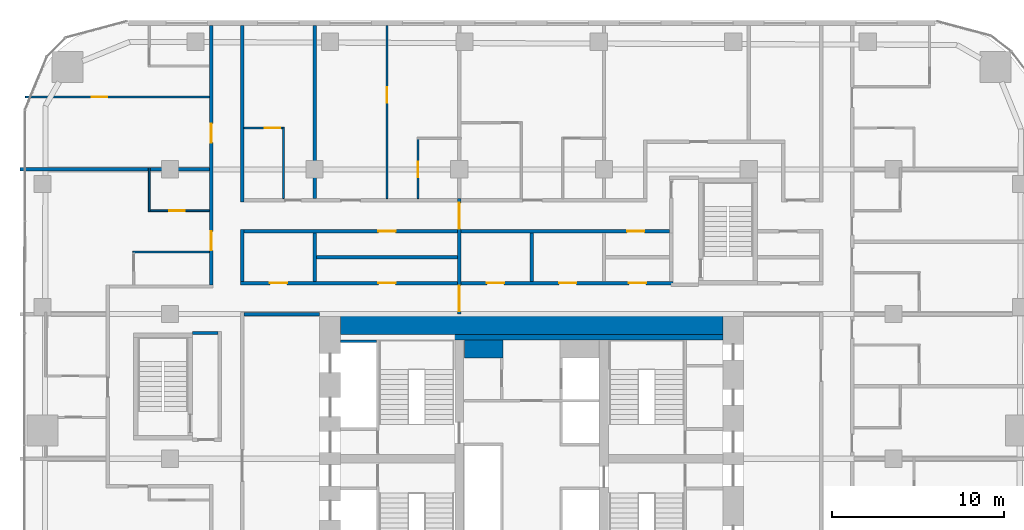
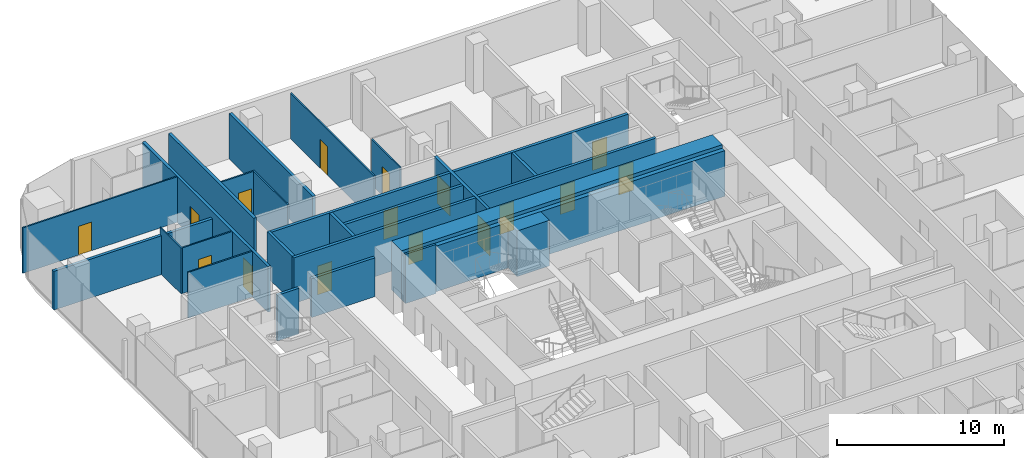
# One storey, part 21 of 26: 25 walls, 16 doors, 16 openings.
"""IFC4 building model written with IfcOpenShell, lengths in metres."""

from ifc_helpers import new_model, si_unit, direction, frame, frame_2d, origin, place, context, subcontext, project, spatial, rectangle, extrude, material, layer, layer_set, type_object, element, fill, save


model = new_model("IFC4")

# Units and contexts
model_context = context("Model", 3, precision=1e-05, world=origin(), true_north=direction((0.0, 1.0)))
body_context = subcontext(model_context, "Body", "Model", "MODEL_VIEW")
ifc_project = project(units=[si_unit("LENGTHUNIT", "METRE"), si_unit("AREAUNIT", "SQUARE_METRE"), si_unit("VOLUMEUNIT", "CUBIC_METRE"), si_unit("PLANEANGLEUNIT", "RADIAN"), si_unit("MASSUNIT", "GRAM", prefix="KILO")], contexts=[model_context])

# Site, building, storey
site_placement = place(None, origin())
site = spatial("IfcSite", under=ifc_project, at=site_placement, CompositionType="ELEMENT")
building_placement = place(site_placement, origin())
building = spatial("IfcBuilding", under=site, at=building_placement, Name="Marenta Gate Hotel Tower", CompositionType="ELEMENT")
storey_placement = place(building_placement, frame((0.0, 0.0, 65.300048828125)))
storey = spatial("IfcBuildingStorey", under=building, at=storey_placement, Name="L14", CompositionType="ELEMENT", Elevation=65.300048828125)

# Wall, openings, doors
ifc_material_1 = material(Name="Concrete blockwork", Category="masonry")
ifc_layer_1 = layer(ifc_material_1, 0.199951171875)
ifc_layer_set_1 = layer_set([ifc_layer_1], Name="Concrete blockwork")
wall_type_1 = type_object("IfcWallType", Name="Compartment wall 200 REI 180", PredefinedType="PARTITIONING", material=ifc_layer_set_1)
wall_1_placement = place(storey_placement, frame((-4.199951171875, 16.800048828125, 0.0), z_axis=(0.0, 0.0, 1.0), x_axis=(0.0, 1.0, 0.0)))
wall_1 = element("IfcWall", 1, at=wall_1_placement, inside=storey, type_object=wall_type_1, Name="L14-PTN-W081", PredefinedType="PARTITIONING", context=body_context, shape_type="SweptSolid", body=[
    extrude(rectangle(XDim=6.699951171875, YDim=0.199951171875, at=frame_2d((3.35009765625, 0.0))), origin(), (0.0, 0.0, 1.0), 3.33984375),
])
opening_1_placement = place(wall_1_placement, frame((0.14990234375, 0.0, 0.0)))
opening_1 = element("IfcOpeningElement", 2, at=opening_1_placement, cuts=wall_1, Name="Opening G05-FD1", PredefinedType="OPENING", context=body_context, shape_type="SweptSolid", body=[
    extrude(rectangle(XDim=1.5, YDim=2.10009765625, at=frame_2d((0.75, 1.050048828125))), frame((0.0, 0.10009765625, 0.0), z_axis=(0.0, -1.0, 0.0), x_axis=(1.0, 0.0, 0.0)), (0.0, 0.0, 1.0), 0.199951171875),
])
opening_2_placement = place(wall_1_placement, frame((4.949951171875, 0.0, 0.0)))
opening_2 = element("IfcOpeningElement", 3, at=opening_2_placement, cuts=wall_1, Name="Opening G05-FD2", PredefinedType="OPENING", context=body_context, shape_type="SweptSolid", body=[
    extrude(rectangle(XDim=1.5, YDim=2.10009765625, at=frame_2d((0.75, 1.050048828125))), frame((0.0, 0.10009765625, 0.0), z_axis=(0.0, -1.0, 0.0), x_axis=(1.0, 0.0, 0.0)), (0.0, 0.0, 1.0), 0.199951171875),
])
ifc_material_2 = material(Name="Hollow steel door set", Category="steel")
door_type_1 = type_object("IfcDoorType", Name="Compartment fire door 1500x2100 EI 60", OperationType="DOUBLE_DOOR_DOUBLE_SWING", PredefinedType="DOOR", material=ifc_material_2)
door_1_placement = place(opening_1_placement, origin())
door_1 = element("IfcDoor", 4, at=door_1_placement, inside=storey, type_object=door_type_1, Name="L14-PD-FD01", OperationType="DOUBLE_DOOR_DOUBLE_SWING", OverallHeight=2.10009765625, OverallWidth=1.5, PredefinedType="DOOR", context=body_context, shape_type="SweptSolid", body=[
    extrude(rectangle(XDim=1.5, YDim=2.10009765625, at=frame_2d((0.75, 1.050048828125))), frame((0.0, 0.02490234375, 0.0), z_axis=(0.0, -1.0, 0.0), x_axis=(1.0, 0.0, 0.0)), (0.0, 0.0, 1.0), 0.050048828125),
])
fill(opening_1, door_1)
door_2_placement = place(opening_2_placement, origin())
door_2 = element("IfcDoor", 5, at=door_2_placement, inside=storey, type_object=door_type_1, Name="L14-PD-FD02", OperationType="DOUBLE_DOOR_DOUBLE_SWING", OverallHeight=2.10009765625, OverallWidth=1.5, PredefinedType="DOOR", context=body_context, shape_type="SweptSolid", body=[
    extrude(rectangle(XDim=1.5, YDim=2.10009765625, at=frame_2d((0.75, 1.050048828125))), frame((0.0, 0.02490234375, 0.0), z_axis=(0.0, -1.0, 0.0), x_axis=(1.0, 0.0, 0.0)), (0.0, 0.0, 1.0), 0.050048828125),
])
fill(opening_2, door_2)

# Walls
ifc_material_3 = material(Name="Concrete blockwork", Category="masonry")
ifc_layer_2 = layer(ifc_material_3, 0.199951171875)
ifc_layer_set_2 = layer_set([ifc_layer_2], Name="Concrete blockwork")
wall_type_2 = type_object("IfcWallType", Name="Core boundary wall 200 REI 180", PredefinedType="PARTITIONING", material=ifc_layer_set_2)
wall_2_placement = place(storey_placement, frame((-16.699951171875, 16.800048828125, 0.0), z_axis=(0.0, 0.0, 1.0), x_axis=(1.0, 0.0, 0.0)))
element("IfcWall", 6, at=wall_2_placement, inside=storey, type_object=wall_type_2, Name="L14-CP-EW-WN", PredefinedType="PARTITIONING", context=body_context, shape_type="SweptSolid", body=[
    extrude(rectangle(XDim=4.39990234375, YDim=0.199951171875, at=frame_2d((2.199951171875, 0.0))), origin(), (0.0, 0.0, 1.0), 2.83984375),
])
ifc_material_4 = material(Name="Concrete C40", Category="concrete")
ifc_layer_3 = layer(ifc_material_4, 0.300048828125)
ifc_layer_set_3 = layer_set([ifc_layer_3], Name="Concrete C40")
wall_type_3 = type_object("IfcWallType", Name="Core lining wall 300 REI 180", PredefinedType="PARTITIONING", material=ifc_layer_set_3)
wall_3_placement = place(storey_placement, frame((-11.10009765625, 15.449951171875, 0.0), z_axis=(0.0, 0.0, 1.0), x_axis=(1.0, 0.0, 0.0)))
element("IfcWall", 7, at=wall_3_placement, inside=storey, type_object=wall_type_3, Name="L14-CP-LN-N", PredefinedType="PARTITIONING", context=body_context, shape_type="SweptSolid", body=[
    extrude(rectangle(XDim=22.2001953125, YDim=0.300048828125, at=frame_2d((11.10009765625, 0.0))), origin(), (0.0, 0.0, 1.0), 3.33984375),
])
ifc_material_5 = material(Name="Concrete blockwork", Category="masonry")
ifc_layer_4 = layer(ifc_material_5, 1.050048828125)
ifc_layer_set_4 = layer_set([ifc_layer_4], Name="Concrete blockwork")
wall_type_4 = type_object("IfcWallType", Name="Core room partition 1050 REI 180", PredefinedType="PARTITIONING", material=ifc_layer_set_4)
wall_4_placement = place(storey_placement, frame((-3.89990234375, 14.77490234375, 0.0), z_axis=(0.0, 0.0, 1.0), x_axis=(1.0, 0.0, 0.0)))
element("IfcWall", 8, at=wall_4_placement, inside=storey, type_object=wall_type_4, Name="L14-CP-CW-W-riser-N", PredefinedType="PARTITIONING", context=body_context, shape_type="SweptSolid", body=[
    extrude(rectangle(XDim=2.25, YDim=1.050048828125, at=frame_2d((1.125, 0.0))), origin(), (0.0, 0.0, 1.0), 3.33984375),
])
ifc_material_6 = material(Name="Concrete C40", Category="concrete")
ifc_layer_5 = layer(ifc_material_6, 0.14990234375)
ifc_layer_set_5 = layer_set([ifc_layer_5], Name="Concrete C40")
wall_type_5 = type_object("IfcWallType", Name="Core shaft wall 150 REI 180", PredefinedType="SHEAR", material=ifc_layer_set_5)
wall_5_placement = place(storey_placement, frame((-11.10009765625, 15.22509765625, 0.0), z_axis=(0.0, 0.0, 1.0), x_axis=(1.0, 0.0, 0.0)))
element("IfcWall", 9, at=wall_5_placement, inside=storey, type_object=wall_type_5, Name="L14-SHF-SW-WN-5", PredefinedType="SHEAR", context=body_context, shape_type="SweptSolid", body=[
    extrude(rectangle(XDim=2.10009765625, YDim=0.14990234375, at=frame_2d((1.050048828125, 0.0))), origin(), (0.0, 0.0, 1.0), 3.599853515625),
])
ifc_material_7 = material(Name="Concrete C80", Category="concrete")
ifc_layer_6 = layer(ifc_material_7, 1.199951171875)
ifc_layer_set_6 = layer_set([ifc_layer_6], Name="Concrete C80")
wall_type_6 = type_object("IfcWallType", Name="Core wall 1200 C80", PredefinedType="SHEAR", material=ifc_layer_set_6)
wall_6_placement = place(storey_placement, frame((-11.10009765625, 16.199951171875, 0.0), z_axis=(0.0, 0.0, 1.0), x_axis=(1.0, 0.0, 0.0)))
element("IfcWall", 10, at=wall_6_placement, inside=storey, type_object=wall_type_6, Name="L14-CORE-N", PredefinedType="SHEAR", context=body_context, shape_type="SweptSolid", body=[
    extrude(rectangle(XDim=22.2001953125, YDim=1.199951171875, at=frame_2d((11.10009765625, 0.0))), origin(), (0.0, 0.0, 1.0), 3.599853515625),
])
ifc_material_8 = material(Name="Concrete blockwork", Category="masonry")
ifc_layer_7 = layer(ifc_material_8, 0.199951171875)
ifc_layer_set_7 = layer_set([ifc_layer_7], Name="Concrete blockwork")
wall_type_7 = type_object("IfcWallType", Name="Room corridor wall 200 EI 120", PredefinedType="PARTITIONING", material=ifc_layer_set_7)
wall_7_placement = place(storey_placement, frame((-16.800048828125, 18.699951171875, 0.0), z_axis=(0.0, 0.0, 1.0), x_axis=(0.0, 1.0, 0.0)))
element("IfcWall", 11, at=wall_7_placement, inside=storey, type_object=wall_type_7, Name="L14-PTN-W108", PredefinedType="PARTITIONING", context=body_context, shape_type="SweptSolid", body=[
    extrude(rectangle(XDim=3.0, YDim=0.199951171875, at=frame_2d((1.5, 0.0))), origin(), (0.0, 0.0, 1.0), 3.33984375),
])

# Wall, openings, doors
wall_8_placement = place(storey_placement, frame((-16.89990234375, 18.60009765625, 0.0), z_axis=(0.0, 0.0, 1.0), x_axis=(1.0, 0.0, 0.0)))
wall_8 = element("IfcWall", 12, at=wall_8_placement, inside=storey, type_object=wall_type_7, Name="L14-PTN-W117", PredefinedType="PARTITIONING", context=body_context, shape_type="SweptSolid", body=[
    extrude(rectangle(XDim=25.099853515625, YDim=0.199951171875, at=frame_2d((12.5498046875, 0.0))), origin(), (0.0, 0.0, 1.0), 3.33984375),
])
opening_3_placement = place(wall_8_placement, frame((1.699951171875, 0.0, 0.0)))
opening_3 = element("IfcOpeningElement", 13, at=opening_3_placement, cuts=wall_8, Name="Opening G05-01", PredefinedType="OPENING", context=body_context, shape_type="SweptSolid", body=[
    extrude(rectangle(XDim=1.0, YDim=2.10009765625, at=frame_2d((0.5, 1.050048828125))), frame((0.0, 0.10009765625, 0.0), z_axis=(0.0, -1.0, 0.0), x_axis=(1.0, 0.0, 0.0)), (0.0, 0.0, 1.0), 0.199951171875),
])
opening_4_placement = place(wall_8_placement, frame((8.0, 0.0, 0.0)))
opening_4 = element("IfcOpeningElement", 14, at=opening_4_placement, cuts=wall_8, Name="Opening G05-72", PredefinedType="OPENING", context=body_context, shape_type="SweptSolid", body=[
    extrude(rectangle(XDim=1.0, YDim=2.10009765625, at=frame_2d((0.5, 1.050048828125))), frame((0.0, 0.10009765625, 0.0), z_axis=(0.0, -1.0, 0.0), x_axis=(1.0, 0.0, 0.0)), (0.0, 0.0, 1.0), 0.199951171875),
])
opening_5_placement = place(wall_8_placement, frame((22.550048828125, 0.0, 0.0)))
opening_5 = element("IfcOpeningElement", 15, at=opening_5_placement, cuts=wall_8, Name="Opening G05-74", PredefinedType="OPENING", context=body_context, shape_type="SweptSolid", body=[
    extrude(rectangle(XDim=1.0, YDim=2.10009765625, at=frame_2d((0.5, 1.050048828125))), frame((0.0, 0.10009765625, 0.0), z_axis=(0.0, -1.0, 0.0), x_axis=(1.0, 0.0, 0.0)), (0.0, 0.0, 1.0), 0.199951171875),
])
opening_6_placement = place(wall_8_placement, frame((14.300048828125, 0.0, 0.0)))
opening_6 = element("IfcOpeningElement", 16, at=opening_6_placement, cuts=wall_8, Name="Opening G05-81", PredefinedType="OPENING", context=body_context, shape_type="SweptSolid", body=[
    extrude(rectangle(XDim=1.0, YDim=2.10009765625, at=frame_2d((0.5, 1.050048828125))), frame((0.0, 0.10009765625, 0.0), z_axis=(0.0, -1.0, 0.0), x_axis=(1.0, 0.0, 0.0)), (0.0, 0.0, 1.0), 0.199951171875),
])
opening_7_placement = place(wall_8_placement, frame((18.5, 0.0, 0.0)))
opening_7 = element("IfcOpeningElement", 17, at=opening_7_placement, cuts=wall_8, Name="Opening G05-82", PredefinedType="OPENING", context=body_context, shape_type="SweptSolid", body=[
    extrude(rectangle(XDim=1.0, YDim=2.10009765625, at=frame_2d((0.5, 1.050048828125))), frame((0.0, 0.10009765625, 0.0), z_axis=(0.0, -1.0, 0.0), x_axis=(1.0, 0.0, 0.0)), (0.0, 0.0, 1.0), 0.199951171875),
])
ifc_material_9 = material(Name="Timber door leaf", Category="wood")
door_type_2 = type_object("IfcDoorType", Name="Room amenity door 1000x2100 EI 60", OperationType="NOTDEFINED", PredefinedType="DOOR", material=ifc_material_9)
door_3_placement = place(opening_4_placement, origin())
door_3 = element("IfcDoor", 18, at=door_3_placement, inside=storey, type_object=door_type_2, Name="L14-PD-D072", OperationType="SINGLE_SWING_RIGHT", OverallHeight=2.10009765625, OverallWidth=1.0, PredefinedType="DOOR", context=body_context, shape_type="SweptSolid", body=[
    extrude(rectangle(XDim=1.0, YDim=2.10009765625, at=frame_2d((0.5, 1.050048828125))), frame((0.0, 0.02490234375, 0.0), z_axis=(0.0, -1.0, 0.0), x_axis=(1.0, 0.0, 0.0)), (0.0, 0.0, 1.0), 0.050048828125),
])
fill(opening_4, door_3)
door_4_placement = place(opening_5_placement, origin())
door_4 = element("IfcDoor", 19, at=door_4_placement, inside=storey, type_object=door_type_2, Name="L14-PD-D074", OperationType="SINGLE_SWING_RIGHT", OverallHeight=2.10009765625, OverallWidth=1.0, PredefinedType="DOOR", context=body_context, shape_type="SweptSolid", body=[
    extrude(rectangle(XDim=1.0, YDim=2.10009765625, at=frame_2d((0.5, 1.050048828125))), frame((0.0, 0.02490234375, 0.0), z_axis=(0.0, -1.0, 0.0), x_axis=(1.0, 0.0, 0.0)), (0.0, 0.0, 1.0), 0.050048828125),
])
fill(opening_5, door_4)
door_5_placement = place(opening_6_placement, origin())
door_5 = element("IfcDoor", 20, at=door_5_placement, inside=storey, type_object=door_type_2, Name="L14-PD-D081", OperationType="SINGLE_SWING_LEFT", OverallHeight=2.10009765625, OverallWidth=1.0, PredefinedType="DOOR", context=body_context, shape_type="SweptSolid", body=[
    extrude(rectangle(XDim=1.0, YDim=2.10009765625, at=frame_2d((0.5, 1.050048828125))), frame((0.0, 0.02490234375, 0.0), z_axis=(0.0, -1.0, 0.0), x_axis=(1.0, 0.0, 0.0)), (0.0, 0.0, 1.0), 0.050048828125),
])
fill(opening_6, door_5)
door_6_placement = place(opening_7_placement, origin())
door_6 = element("IfcDoor", 21, at=door_6_placement, inside=storey, type_object=door_type_2, Name="L14-PD-D082", OperationType="SINGLE_SWING_RIGHT", OverallHeight=2.10009765625, OverallWidth=1.0, PredefinedType="DOOR", context=body_context, shape_type="SweptSolid", body=[
    extrude(rectangle(XDim=1.0, YDim=2.10009765625, at=frame_2d((0.5, 1.050048828125))), frame((0.0, 0.02490234375, 0.0), z_axis=(0.0, -1.0, 0.0), x_axis=(1.0, 0.0, 0.0)), (0.0, 0.0, 1.0), 0.050048828125),
])
fill(opening_7, door_6)
ifc_material_10 = material(Name="Hollow steel door set", Category="steel")
door_type_3 = type_object("IfcDoorType", Name="Room service door 1000x2100 EI 60", OperationType="NOTDEFINED", PredefinedType="DOOR", material=ifc_material_10)
door_7_placement = place(opening_3_placement, origin())
door_7 = element("IfcDoor", 22, at=door_7_placement, inside=storey, type_object=door_type_3, Name="L14-PD-D001", OperationType="SINGLE_SWING_RIGHT", OverallHeight=2.10009765625, OverallWidth=1.0, PredefinedType="DOOR", context=body_context, shape_type="SweptSolid", body=[
    extrude(rectangle(XDim=1.0, YDim=2.10009765625, at=frame_2d((0.5, 1.050048828125))), frame((0.0, 0.02490234375, 0.0), z_axis=(0.0, -1.0, 0.0), x_axis=(1.0, 0.0, 0.0)), (0.0, 0.0, 1.0), 0.050048828125),
])
fill(opening_3, door_7)

wall_9_placement = place(storey_placement, frame((-16.699951171875, 21.60009765625, 0.0), z_axis=(0.0, 0.0, 1.0), x_axis=(1.0, 0.0, 0.0)))
wall_9 = element("IfcWall", 23, at=wall_9_placement, inside=storey, type_object=wall_type_7, Name="L14-PTN-W127", PredefinedType="PARTITIONING", context=body_context, shape_type="SweptSolid", body=[
    extrude(rectangle(XDim=24.699951171875, YDim=0.199951171875, at=frame_2d((12.35009765625, 0.0))), origin(), (0.0, 0.0, 1.0), 3.33984375),
])
opening_8_placement = place(wall_9_placement, frame((7.800048828125, 0.0, 0.0)))
opening_8 = element("IfcOpeningElement", 24, at=opening_8_placement, cuts=wall_9, Name="Opening G05-73", PredefinedType="OPENING", context=body_context, shape_type="SweptSolid", body=[
    extrude(rectangle(XDim=1.0, YDim=2.10009765625, at=frame_2d((0.5, 1.050048828125))), frame((0.0, 0.10009765625, 0.0), z_axis=(0.0, -1.0, 0.0), x_axis=(1.0, 0.0, 0.0)), (0.0, 0.0, 1.0), 0.199951171875),
])
opening_9_placement = place(wall_9_placement, frame((22.25, 0.0, 0.0)))
opening_9 = element("IfcOpeningElement", 25, at=opening_9_placement, cuts=wall_9, Name="Opening G05-75", PredefinedType="OPENING", context=body_context, shape_type="SweptSolid", body=[
    extrude(rectangle(XDim=1.0, YDim=2.10009765625, at=frame_2d((0.5, 1.050048828125))), frame((0.0, 0.10009765625, 0.0), z_axis=(0.0, -1.0, 0.0), x_axis=(1.0, 0.0, 0.0)), (0.0, 0.0, 1.0), 0.199951171875),
])
door_8_placement = place(opening_8_placement, origin())
door_8 = element("IfcDoor", 26, at=door_8_placement, inside=storey, type_object=door_type_2, Name="L14-PD-D073", OperationType="SINGLE_SWING_RIGHT", OverallHeight=2.10009765625, OverallWidth=1.0, PredefinedType="DOOR", context=body_context, shape_type="SweptSolid", body=[
    extrude(rectangle(XDim=1.0, YDim=2.10009765625, at=frame_2d((0.5, 1.050048828125))), frame((0.0, 0.02490234375, 0.0), z_axis=(0.0, -1.0, 0.0), x_axis=(1.0, 0.0, 0.0)), (0.0, 0.0, 1.0), 0.050048828125),
])
fill(opening_8, door_8)
door_9_placement = place(opening_9_placement, origin())
door_9 = element("IfcDoor", 27, at=door_9_placement, inside=storey, type_object=door_type_2, Name="L14-PD-D075", OperationType="SINGLE_SWING_LEFT", OverallHeight=2.10009765625, OverallWidth=1.0, PredefinedType="DOOR", context=body_context, shape_type="SweptSolid", body=[
    extrude(rectangle(XDim=1.0, YDim=2.10009765625, at=frame_2d((0.5, 1.050048828125))), frame((0.0, 0.02490234375, 0.0), z_axis=(0.0, -1.0, 0.0), x_axis=(1.0, 0.0, 0.0)), (0.0, 0.0, 1.0), 0.050048828125),
])
fill(opening_9, door_9)

# Wall
ifc_material_11 = material(Name="Gypsum board on steel stud", Category="steel")
ifc_layer_8 = layer(ifc_material_11, 0.199951171875)
ifc_layer_set_8 = layer_set([ifc_layer_8], Name="Gypsum board on steel stud")
wall_type_8 = type_object("IfcWallType", Name="Room corridor wall 200 EI 60", PredefinedType="PARTITIONING", material=ifc_layer_set_8)
wall_10_placement = place(storey_placement, frame((-16.800048828125, 23.300048828125, 0.0), z_axis=(0.0, 0.0, 1.0), x_axis=(0.0, 1.0, 0.0)))
element("IfcWall", 28, at=wall_10_placement, inside=storey, type_object=wall_type_8, Name="L14-PTN-W109", PredefinedType="PARTITIONING", context=body_context, shape_type="SweptSolid", body=[
    extrude(rectangle(XDim=10.239990234375, YDim=0.199951171875, at=frame_2d((5.1201171875, 0.0))), origin(), (0.0, 0.0, 1.0), 3.33984375),
])

# Wall, openings, doors
wall_11_placement = place(storey_placement, frame((-18.60009765625, 18.5, 0.0), z_axis=(0.0, 0.0, 1.0), x_axis=(0.0, 1.0, 0.0)))
wall_11 = element("IfcWall", 29, at=wall_11_placement, inside=storey, type_object=wall_type_8, Name="L14-PTN-W116", PredefinedType="PARTITIONING", context=body_context, shape_type="SweptSolid", body=[
    extrude(rectangle(XDim=15.0400390625, YDim=0.199951171875, at=frame_2d((7.52001953125, 0.0))), origin(), (0.0, 0.0, 1.0), 3.33984375),
])
opening_10_placement = place(wall_11_placement, frame((2.0, 0.0, 0.0)))
opening_10 = element("IfcOpeningElement", 30, at=opening_10_placement, cuts=wall_11, Name="Opening G05-60", PredefinedType="OPENING", context=body_context, shape_type="SweptSolid", body=[
    extrude(rectangle(XDim=1.10009765625, YDim=2.10009765625, at=frame_2d((0.550048828125, 1.050048828125))), frame((0.0, 0.10009765625, 0.0), z_axis=(0.0, -1.0, 0.0), x_axis=(1.0, 0.0, 0.0)), (0.0, 0.0, 1.0), 0.199951171875),
])
opening_11_placement = place(wall_11_placement, frame((8.25, 0.0, 0.0)))
opening_11 = element("IfcOpeningElement", 31, at=opening_11_placement, cuts=wall_11, Name="Opening G05-63", PredefinedType="OPENING", context=body_context, shape_type="SweptSolid", body=[
    extrude(rectangle(XDim=1.10009765625, YDim=2.10009765625, at=frame_2d((0.550048828125, 1.050048828125))), frame((0.0, 0.10009765625, 0.0), z_axis=(0.0, -1.0, 0.0), x_axis=(1.0, 0.0, 0.0)), (0.0, 0.0, 1.0), 0.199951171875),
])
ifc_material_12 = material(Name="Timber door leaf", Category="wood")
door_type_4 = type_object("IfcDoorType", Name="Guest room door 1100x2100 EI 30", OperationType="NOTDEFINED", PredefinedType="DOOR", material=ifc_material_12)
door_10_placement = place(opening_10_placement, origin())
door_10 = element("IfcDoor", 32, at=door_10_placement, inside=storey, type_object=door_type_4, Name="L14-PD-D060", OperationType="SINGLE_SWING_LEFT", OverallHeight=2.10009765625, OverallWidth=1.10009765625, PredefinedType="DOOR", context=body_context, shape_type="SweptSolid", body=[
    extrude(rectangle(XDim=1.10009765625, YDim=2.10009765625, at=frame_2d((0.550048828125, 1.050048828125))), frame((0.0, 0.02490234375, 0.0), z_axis=(0.0, -1.0, 0.0), x_axis=(1.0, 0.0, 0.0)), (0.0, 0.0, 1.0), 0.050048828125),
])
fill(opening_10, door_10)
door_11_placement = place(opening_11_placement, origin())
door_11 = element("IfcDoor", 33, at=door_11_placement, inside=storey, type_object=door_type_4, Name="L14-PD-D063", OperationType="SINGLE_SWING_RIGHT", OverallHeight=2.10009765625, OverallWidth=1.10009765625, PredefinedType="DOOR", context=body_context, shape_type="SweptSolid", body=[
    extrude(rectangle(XDim=1.10009765625, YDim=2.10009765625, at=frame_2d((0.550048828125, 1.050048828125))), frame((0.0, 0.02490234375, 0.0), z_axis=(0.0, -1.0, 0.0), x_axis=(1.0, 0.0, 0.0)), (0.0, 0.0, 1.0), 0.050048828125),
])
fill(opening_11, door_11)

# Wall
ifc_material_13 = material(Name="Concrete blockwork", Category="masonry")
ifc_layer_9 = layer(ifc_material_13, 0.199951171875)
ifc_layer_set_9 = layer_set([ifc_layer_9], Name="Concrete blockwork")
wall_type_9 = type_object("IfcWallType", Name="Room corridor wall 200 REI 180", PredefinedType="PARTITIONING", material=ifc_layer_set_9)
wall_12_placement = place(storey_placement, frame((-19.699951171875, 15.699951171875, 0.0), z_axis=(0.0, 0.0, 1.0), x_axis=(1.0, 0.0, 0.0)))
element("IfcWall", 34, at=wall_12_placement, inside=storey, type_object=wall_type_9, Name="L14-PTN-W105", PredefinedType="PARTITIONING", context=body_context, shape_type="SweptSolid", body=[
    extrude(rectangle(XDim=1.5, YDim=0.199951171875, at=frame_2d((0.75, 0.0))), origin(), (0.0, 0.0, 1.0), 3.33984375),
])

# Wall, opening, door
ifc_material_14 = material(Name="Gypsum board on steel stud", Category="steel")
ifc_layer_10 = layer(ifc_material_14, 0.10009765625)
ifc_layer_set_10 = layer_set([ifc_layer_10], Name="Gypsum board on steel stud")
wall_type_10 = type_object("IfcWallType", Name="Room partition 100", PredefinedType="PARTITIONING", material=ifc_layer_set_10)
wall_13_placement = place(storey_placement, frame((-6.60009765625, 23.5, 0.0), z_axis=(0.0, 0.0, 1.0), x_axis=(0.0, 1.0, 0.0)))
wall_13 = element("IfcWall", 35, at=wall_13_placement, inside=storey, type_object=wall_type_10, Name="L14-PTN-W088", PredefinedType="PARTITIONING", context=body_context, shape_type="SweptSolid", body=[
    extrude(rectangle(XDim=3.449951171875, YDim=0.10009765625, at=frame_2d((1.72509765625, 0.0))), origin(), (0.0, 0.0, 1.0), 3.33984375),
])
opening_12_placement = place(wall_13_placement, frame((1.25, 0.0, 0.0)))
opening_12 = element("IfcOpeningElement", 36, at=opening_12_placement, cuts=wall_13, Name="Opening G05-30", PredefinedType="OPENING", context=body_context, shape_type="SweptSolid", body=[
    extrude(rectangle(XDim=0.89990234375, YDim=2.10009765625, at=frame_2d((0.449951171875, 1.050048828125))), frame((0.0, 0.050048828125, 0.0), z_axis=(0.0, -1.0, 0.0), x_axis=(1.0, 0.0, 0.0)), (0.0, 0.0, 1.0), 0.10009765625),
])
ifc_material_15 = material(Name="Timber door leaf", Category="wood")
door_type_5 = type_object("IfcDoorType", Name="Guest bathroom door 900x2100", OperationType="NOTDEFINED", PredefinedType="DOOR", material=ifc_material_15)
door_12_placement = place(opening_12_placement, origin())
door_12 = element("IfcDoor", 37, at=door_12_placement, inside=storey, type_object=door_type_5, Name="L14-PD-D030", OperationType="SINGLE_SWING_RIGHT", OverallHeight=2.10009765625, OverallWidth=0.89990234375, PredefinedType="DOOR", context=body_context, shape_type="SweptSolid", body=[
    extrude(rectangle(XDim=0.89990234375, YDim=2.10009765625, at=frame_2d((0.449951171875, 1.050048828125))), frame((0.0, 0.02490234375, 0.0), z_axis=(0.0, -1.0, 0.0), x_axis=(1.0, 0.0, 0.0)), (0.0, 0.0, 1.0), 0.050048828125),
])
fill(opening_12, door_12)

wall_14_placement = place(storey_placement, frame((-8.39990234375, 23.5, 0.0), z_axis=(0.0, 0.0, 1.0), x_axis=(0.0, 1.0, 0.0)))
wall_14 = element("IfcWall", 38, at=wall_14_placement, inside=storey, type_object=wall_type_10, Name="L14-PTN-W090", PredefinedType="PARTITIONING", context=body_context, shape_type="SweptSolid", body=[
    extrude(rectangle(XDim=10.0400390625, YDim=0.10009765625, at=frame_2d((5.02001953125, 0.0))), origin(), (0.0, 0.0, 1.0), 3.33984375),
])
opening_13_placement = place(wall_14_placement, frame((5.570068359375, 0.0, 0.0)))
opening_13 = element("IfcOpeningElement", 39, at=opening_13_placement, cuts=wall_14, Name="Opening G05-29", PredefinedType="OPENING", context=body_context, shape_type="SweptSolid", body=[
    extrude(rectangle(XDim=0.89990234375, YDim=2.10009765625, at=frame_2d((0.449951171875, 1.050048828125))), frame((0.0, 0.050048828125, 0.0), z_axis=(0.0, -1.0, 0.0), x_axis=(1.0, 0.0, 0.0)), (0.0, 0.0, 1.0), 0.10009765625),
])
ifc_material_16 = material(Name="Timber door leaf", Category="wood")
door_type_6 = type_object("IfcDoorType", Name="Room inner door 900x2100", OperationType="NOTDEFINED", PredefinedType="DOOR", material=ifc_material_16)
door_13_placement = place(opening_13_placement, origin())
door_13 = element("IfcDoor", 40, at=door_13_placement, inside=storey, type_object=door_type_6, Name="L14-PD-D029", OperationType="SINGLE_SWING_RIGHT", OverallHeight=2.10009765625, OverallWidth=0.89990234375, PredefinedType="DOOR", context=body_context, shape_type="SweptSolid", body=[
    extrude(rectangle(XDim=0.89990234375, YDim=2.10009765625, at=frame_2d((0.449951171875, 1.050048828125))), frame((0.0, 0.02490234375, 0.0), z_axis=(0.0, -1.0, 0.0), x_axis=(1.0, 0.0, 0.0)), (0.0, 0.0, 1.0), 0.050048828125),
])
fill(opening_13, door_13)

# Walls
wall_15_placement = place(storey_placement, frame((-14.39990234375, 23.5, 0.0), z_axis=(0.0, 0.0, 1.0), x_axis=(0.0, 1.0, 0.0)))
element("IfcWall", 41, at=wall_15_placement, inside=storey, type_object=wall_type_10, Name="L14-PTN-W103", PredefinedType="PARTITIONING", context=body_context, shape_type="SweptSolid", body=[
    extrude(rectangle(XDim=4.14990234375, YDim=0.10009765625, at=frame_2d((2.074951171875, 0.0))), origin(), (0.0, 0.0, 1.0), 3.33984375),
])
wall_16_placement = place(storey_placement, frame((-23.14990234375, 20.39990234375, 0.0), z_axis=(0.0, 0.0, 1.0), x_axis=(1.0, 0.0, 0.0)))
element("IfcWall", 42, at=wall_16_placement, inside=storey, type_object=wall_type_10, Name="L14-PTN-W123", PredefinedType="PARTITIONING", context=body_context, shape_type="SweptSolid", body=[
    extrude(rectangle(XDim=4.449951171875, YDim=0.10009765625, at=frame_2d((2.22509765625, 0.0))), origin(), (0.0, 0.0, 1.0), 3.33984375),
])
wall_17_placement = place(storey_placement, frame((-22.199951171875, 22.75, 0.0), z_axis=(0.0, 0.0, 1.0), x_axis=(0.0, 1.0, 0.0)))
element("IfcWall", 43, at=wall_17_placement, inside=storey, type_object=wall_type_10, Name="L14-PTN-W131", PredefinedType="PARTITIONING", context=body_context, shape_type="SweptSolid", body=[
    extrude(rectangle(XDim=2.550048828125, YDim=0.10009765625, at=frame_2d((1.27490234375, 0.0))), origin(), (0.0, 0.0, 1.0), 3.33984375),
])

# Wall, opening, door
wall_18_placement = place(storey_placement, frame((-22.14990234375, 22.800048828125, 0.0), z_axis=(0.0, 0.0, 1.0), x_axis=(1.0, 0.0, 0.0)))
wall_18 = element("IfcWall", 44, at=wall_18_placement, inside=storey, type_object=wall_type_10, Name="L14-PTN-W133", PredefinedType="PARTITIONING", context=body_context, shape_type="SweptSolid", body=[
    extrude(rectangle(XDim=3.449951171875, YDim=0.10009765625, at=frame_2d((1.72509765625, 0.0))), origin(), (0.0, 0.0, 1.0), 3.33984375),
])
opening_14_placement = place(wall_18_placement, frame((1.1201171875, 0.0, 0.0)))
opening_14 = element("IfcOpeningElement", 45, at=opening_14_placement, cuts=wall_18, Name="Opening G05-62", PredefinedType="OPENING", context=body_context, shape_type="SweptSolid", body=[
    extrude(rectangle(XDim=0.89990234375, YDim=2.10009765625, at=frame_2d((0.449951171875, 1.050048828125))), frame((0.0, 0.050048828125, 0.0), z_axis=(0.0, -1.0, 0.0), x_axis=(1.0, 0.0, 0.0)), (0.0, 0.0, 1.0), 0.10009765625),
])
door_14_placement = place(opening_14_placement, origin())
door_14 = element("IfcDoor", 46, at=door_14_placement, inside=storey, type_object=door_type_6, Name="L14-PD-D062", OperationType="SINGLE_SWING_LEFT", OverallHeight=2.10009765625, OverallWidth=0.89990234375, PredefinedType="DOOR", context=body_context, shape_type="SweptSolid", body=[
    extrude(rectangle(XDim=0.89990234375, YDim=2.10009765625, at=frame_2d((0.449951171875, 1.050048828125))), frame((0.0, 0.02490234375, 0.0), z_axis=(0.0, -1.0, 0.0), x_axis=(1.0, 0.0, 0.0)), (0.0, 0.0, 1.0), 0.050048828125),
])
fill(opening_14, door_14)

wall_19_placement = place(storey_placement, frame((-16.699951171875, 27.60009765625, 0.0), z_axis=(0.0, 0.0, 1.0), x_axis=(1.0, 0.0, 0.0)))
wall_19 = element("IfcWall", 47, at=wall_19_placement, inside=storey, type_object=wall_type_10, Name="L14-PTN-W146", PredefinedType="PARTITIONING", context=body_context, shape_type="SweptSolid", body=[
    extrude(rectangle(XDim=2.25, YDim=0.10009765625, at=frame_2d((1.125, 0.0))), origin(), (0.0, 0.0, 1.0), 3.33984375),
])
opening_15_placement = place(wall_19_placement, frame((1.199951171875, 0.0, 0.0)))
opening_15 = element("IfcOpeningElement", 48, at=opening_15_placement, cuts=wall_19, Name="Opening G05-27", PredefinedType="OPENING", context=body_context, shape_type="SweptSolid", body=[
    extrude(rectangle(XDim=0.89990234375, YDim=2.10009765625, at=frame_2d((0.449951171875, 1.050048828125))), frame((0.0, 0.050048828125, 0.0), z_axis=(0.0, -1.0, 0.0), x_axis=(1.0, 0.0, 0.0)), (0.0, 0.0, 1.0), 0.10009765625),
])
door_15_placement = place(opening_15_placement, origin())
door_15 = element("IfcDoor", 49, at=door_15_placement, inside=storey, type_object=door_type_5, Name="L14-PD-D027", OperationType="SINGLE_SWING_LEFT", OverallHeight=2.10009765625, OverallWidth=0.89990234375, PredefinedType="DOOR", context=body_context, shape_type="SweptSolid", body=[
    extrude(rectangle(XDim=0.89990234375, YDim=2.10009765625, at=frame_2d((0.449951171875, 1.050048828125))), frame((0.0, 0.02490234375, 0.0), z_axis=(0.0, -1.0, 0.0), x_axis=(1.0, 0.0, 0.0)), (0.0, 0.0, 1.0), 0.050048828125),
])
fill(opening_15, door_15)

wall_20_placement = place(storey_placement, frame((-29.39306640625, 29.39990234375, 0.0), z_axis=(0.0, 0.0, 1.0), x_axis=(1.0, 0.0, 0.0)))
wall_20 = element("IfcWall", 50, at=wall_20_placement, inside=storey, type_object=wall_type_10, Name="L14-PTN-W151", PredefinedType="PARTITIONING", context=body_context, shape_type="SweptSolid", body=[
    extrude(rectangle(XDim=10.693115234375, YDim=0.10009765625, at=frame_2d((5.3466796875, 0.0))), origin(), (0.0, 0.0, 1.0), 3.33984375),
])
opening_16_placement = place(wall_20_placement, frame((3.863037109375, 0.0, 0.0)))
opening_16 = element("IfcOpeningElement", 51, at=opening_16_placement, cuts=wall_20, Name="Opening G05-64", PredefinedType="OPENING", context=body_context, shape_type="SweptSolid", body=[
    extrude(rectangle(XDim=0.89990234375, YDim=2.10009765625, at=frame_2d((0.449951171875, 1.050048828125))), frame((0.0, 0.050048828125, 0.0), z_axis=(0.0, -1.0, 0.0), x_axis=(1.0, 0.0, 0.0)), (0.0, 0.0, 1.0), 0.10009765625),
])
door_16_placement = place(opening_16_placement, origin())
door_16 = element("IfcDoor", 52, at=door_16_placement, inside=storey, type_object=door_type_6, Name="L14-PD-D064", OperationType="SINGLE_SWING_LEFT", OverallHeight=2.10009765625, OverallWidth=0.89990234375, PredefinedType="DOOR", context=body_context, shape_type="SweptSolid", body=[
    extrude(rectangle(XDim=0.89990234375, YDim=2.10009765625, at=frame_2d((0.449951171875, 1.050048828125))), frame((0.0, 0.02490234375, 0.0), z_axis=(0.0, -1.0, 0.0), x_axis=(1.0, 0.0, 0.0)), (0.0, 0.0, 1.0), 0.050048828125),
])
fill(opening_16, door_16)

# Walls
ifc_material_17 = material(Name="Concrete blockwork", Category="masonry")
ifc_layer_11 = layer(ifc_material_17, 0.199951171875)
ifc_layer_set_11 = layer_set([ifc_layer_11], Name="Concrete blockwork")
wall_type_11 = type_object("IfcWallType", Name="Room party wall 200 EI 120", PredefinedType="PARTITIONING", material=ifc_layer_set_11)
wall_21_placement = place(storey_placement, frame((-12.60009765625, 18.699951171875, 0.0), z_axis=(0.0, 0.0, 1.0), x_axis=(0.0, 1.0, 0.0)))
element("IfcWall", 53, at=wall_21_placement, inside=storey, type_object=wall_type_11, Name="L14-PTN-W098", PredefinedType="PARTITIONING", context=body_context, shape_type="SweptSolid", body=[
    extrude(rectangle(XDim=2.800048828125, YDim=0.199951171875, at=frame_2d((1.39990234375, 0.0))), origin(), (0.0, 0.0, 1.0), 3.33984375),
])
ifc_material_18 = material(Name="Gypsum board on steel stud", Category="steel")
ifc_layer_12 = layer(ifc_material_18, 0.199951171875)
ifc_layer_set_12 = layer_set([ifc_layer_12], Name="Gypsum board on steel stud")
wall_type_12 = type_object("IfcWallType", Name="Room party wall 200 EI 60", PredefinedType="PARTITIONING", material=ifc_layer_set_12)
wall_22_placement = place(storey_placement, frame((0.0, 18.699951171875, 0.0), z_axis=(0.0, 0.0, 1.0), x_axis=(0.0, 1.0, 0.0)))
element("IfcWall", 54, at=wall_22_placement, inside=storey, type_object=wall_type_12, Name="L14-PTN-W073", PredefinedType="PARTITIONING", context=body_context, shape_type="SweptSolid", body=[
    extrude(rectangle(XDim=2.800048828125, YDim=0.199951171875, at=frame_2d((1.39990234375, 0.0))), origin(), (0.0, 0.0, 1.0), 3.33984375),
])
wall_23_placement = place(storey_placement, frame((-12.60009765625, 23.5, 0.0), z_axis=(0.0, 0.0, 1.0), x_axis=(0.0, 1.0, 0.0)))
element("IfcWall", 55, at=wall_23_placement, inside=storey, type_object=wall_type_12, Name="L14-PTN-W099", PredefinedType="PARTITIONING", context=body_context, shape_type="SweptSolid", body=[
    extrude(rectangle(XDim=10.0400390625, YDim=0.199951171875, at=frame_2d((5.02001953125, 0.0))), origin(), (0.0, 0.0, 1.0), 3.33984375),
])
wall_24_placement = place(storey_placement, frame((-12.5, 20.10009765625, 0.0), z_axis=(0.0, 0.0, 1.0), x_axis=(1.0, 0.0, 0.0)))
element("IfcWall", 56, at=wall_24_placement, inside=storey, type_object=wall_type_12, Name="L14-PTN-W120", PredefinedType="PARTITIONING", context=body_context, shape_type="SweptSolid", body=[
    extrude(rectangle(XDim=8.39990234375, YDim=0.199951171875, at=frame_2d((4.199951171875, 0.0))), origin(), (0.0, 0.0, 1.0), 3.33984375),
])
wall_25_placement = place(storey_placement, frame((-29.699951171875, 25.199951171875, 0.0), z_axis=(0.0, 0.0, 1.0), x_axis=(1.0, 0.0, 0.0)))
element("IfcWall", 57, at=wall_25_placement, inside=storey, type_object=wall_type_12, Name="L14-PTN-W141", PredefinedType="PARTITIONING", context=body_context, shape_type="SweptSolid", body=[
    extrude(rectangle(XDim=11.0, YDim=0.199951171875, at=frame_2d((5.5, 0.0))), origin(), (0.0, 0.0, 1.0), 2.83984375),
])

save(model, "model.ifc")
